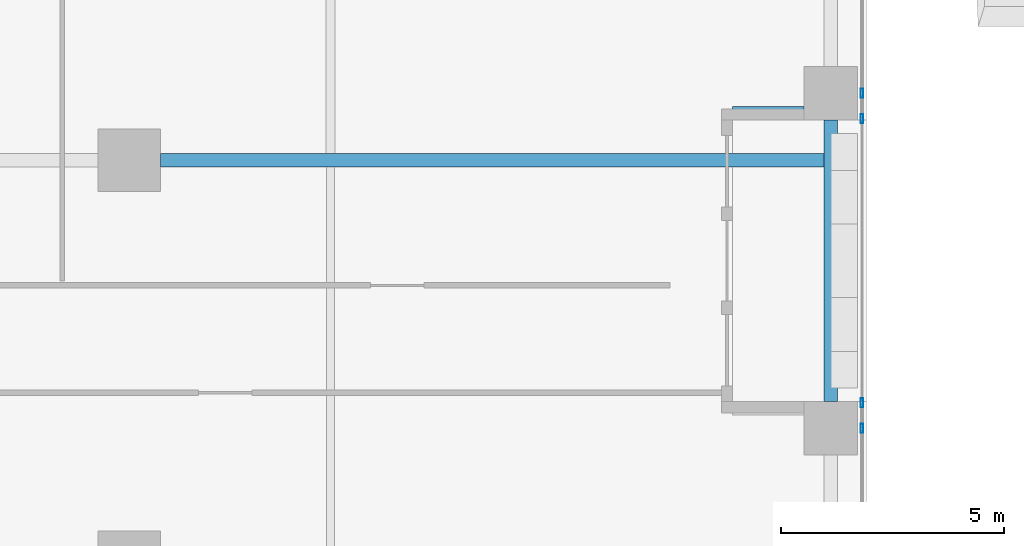
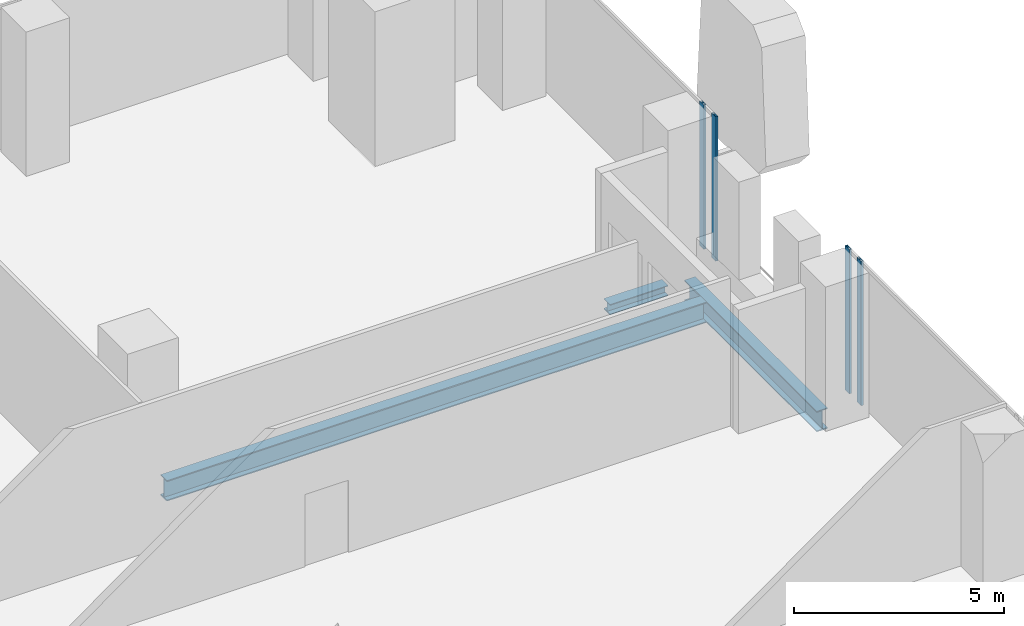
# One storey, part 17 of 35: 4 members, 3 beams, 2 elements without a shape of their own.
"""IFC4 building model written with IfcOpenShell, lengths in metres."""

from ifc_helpers import new_model, si_unit, direction, frame, origin, origin_2d, place, context, subcontext, project, spatial, hollow_rectangle, i_section, extrude, source, transform, mapped, material, material_profile, profile_set, type_object, element, aggregate, save


model = new_model("IFC4")

# Units and contexts
model_context = context("Model", 3, precision=1e-05, world=origin(), true_north=direction((0.0, 1.0)))
body_context = subcontext(model_context, "Body", "Model", "MODEL_VIEW")
ifc_project = project(units=[si_unit("LENGTHUNIT", "METRE"), si_unit("AREAUNIT", "SQUARE_METRE"), si_unit("VOLUMEUNIT", "CUBIC_METRE"), si_unit("PLANEANGLEUNIT", "RADIAN"), si_unit("MASSUNIT", "GRAM", prefix="KILO")], contexts=[model_context])

# Site, building, storey
site_placement = place(None, origin())
site = spatial("IfcSite", under=ifc_project, at=site_placement, CompositionType="ELEMENT")
building_placement = place(site_placement, origin())
building = spatial("IfcBuilding", under=site, at=building_placement, Name="Khomas Fold Tower", CompositionType="ELEMENT")
storey_placement = place(building_placement, frame((0.0, 0.0, 69.0)))
storey = spatial("IfcBuildingStorey", under=building, at=storey_placement, Name="L14", CompositionType="ELEMENT", Elevation=69.0)

# Beams
ifc_material_1 = material(Name="Steel S355", Category="steel")
ifc_material_profile_1 = material_profile(ifc_material_1, i_section(OverallWidth=0.300048828125, OverallDepth=0.60009765625, WebThickness=0.015380859375, FlangeThickness=0.030029296875, at=origin_2d()), Name="HE 600 B")
ifc_profile_set_1 = profile_set([ifc_material_profile_1], Name="Steel S355")
beam_type_1 = type_object("IfcBeamType", Name="HE 600 B spandrel SB1", PredefinedType="SPANDREL", material=ifc_profile_set_1)
shared_shape_1 = source(origin(), body_context, "Body", "SweptSolid", [
    extrude(i_section(OverallWidth=0.300048828125, OverallDepth=0.60009765625, WebThickness=0.015380859375, FlangeThickness=0.030029296875, at=origin_2d()), origin(), (0.0, 0.0, 1.0), 6.2998046875),
])
beam_1_placement = place(storey_placement, frame((53.199951171875, 35.10009765625, -0.60009765625), z_axis=(0.0, 1.0, 0.0), x_axis=(-1.0, 0.0, 0.0)))
element("IfcBeam", 1, at=beam_1_placement, inside=storey, type_object=beam_type_1, Name="SB1", PredefinedType="SPANDREL", context=body_context, shape_type="MappedRepresentation", body=[
    mapped(shared_shape_1, transform((0.0, 0.0, 0.0))),
])
ifc_material_2 = material(Name="Steel S355", Category="steel")
ifc_material_profile_2 = material_profile(ifc_material_2, i_section(OverallWidth=0.300048828125, OverallDepth=0.60009765625, WebThickness=0.015380859375, FlangeThickness=0.030029296875, at=origin_2d()), Name="HE 600 B")
ifc_profile_set_2 = profile_set([ifc_material_profile_2], Name="Steel S355")
beam_type_2 = type_object("IfcBeamType", Name="HE 600 B beam GB5", PredefinedType="BEAM", material=ifc_profile_set_2)
shared_shape_2 = source(origin(), body_context, "Body", "SweptSolid", [
    extrude(i_section(OverallWidth=0.300048828125, OverallDepth=0.60009765625, WebThickness=0.015380859375, FlangeThickness=0.030029296875, at=origin_2d()), origin(), (0.0, 0.0, 1.0), 14.85009765625),
])
beam_2_placement = place(storey_placement, frame((38.199951171875, 40.5, -0.60009765625), z_axis=(1.0, 0.0, 0.0), x_axis=(0.0, 1.0, 0.0)))
element("IfcBeam", 2, at=beam_2_placement, inside=storey, type_object=beam_type_2, Name="GB5", PredefinedType="BEAM", context=body_context, shape_type="MappedRepresentation", body=[
    mapped(shared_shape_2, transform((0.0, 0.0, 0.0))),
])
ifc_material_3 = material(Name="Steel S355", Category="steel")
ifc_material_profile_3 = material_profile(ifc_material_3, i_section(OverallWidth=0.300048828125, OverallDepth=0.300048828125, WebThickness=0.010986328125, FlangeThickness=0.01904296875, at=origin_2d()), Name="HE 300 B")
ifc_profile_set_3 = profile_set([ifc_material_profile_3], Name="Steel S355")
beam_type_3 = type_object("IfcBeamType", Name="HE 300 B beam BB1", PredefinedType="BEAM", material=ifc_profile_set_3)
shared_shape_3 = source(origin(), body_context, "Body", "SweptSolid", [
    extrude(i_section(OverallWidth=0.300048828125, OverallDepth=0.300048828125, WebThickness=0.010986328125, FlangeThickness=0.01904296875, at=origin_2d()), origin(), (0.0, 0.0, 1.0), 1.60009765625),
])
beam_3_placement = place(storey_placement, frame((51.0, 41.550048828125, -0.449951171875), z_axis=(1.0, 0.0, 0.0), x_axis=(0.0, 1.0, 0.0)))
element("IfcBeam", 3, at=beam_3_placement, inside=storey, type_object=beam_type_3, Name="BB1", PredefinedType="BEAM", context=body_context, shape_type="MappedRepresentation", body=[
    mapped(shared_shape_3, transform((0.0, 0.0, 0.0))),
])

# Curtain wall, members
ifc_material_4 = material(Name="Aluminium framed double glazing", Category="aluminium")
curtain_wall_type = type_object("IfcCurtainWallType", Name="SK-Unitised clear-glass wall, growing floors CW1", PredefinedType="NOTDEFINED", material=ifc_material_4)
curtain_wall_1_placement = place(storey_placement, origin())
curtain_wall_1 = element("IfcCurtainWall", 4, at=curtain_wall_1_placement, inside=storey, type_object=curtain_wall_type, Name="CW1 run L14 03-0", PredefinedType="NOTDEFINED")
ifc_material_5 = material(Name="Aluminium", Category="aluminium")
ifc_material_profile_4 = material_profile(ifc_material_5, hollow_rectangle(XDim=0.06005859375, YDim=0.199951171875, WallThickness=0.00390625, at=origin_2d()), Name="SK-Unitised clear-glass wall, growing floors mullion CW1-M")
ifc_profile_set_4 = profile_set([ifc_material_profile_4], Name="Aluminium")
member_type = type_object("IfcMemberType", Name="SK-Unitised clear-glass wall, growing floors mullion CW1-M", PredefinedType="MULLION", material=ifc_profile_set_4)
shared_shape_4 = source(origin(), body_context, "Body", "SweptSolid", [
    extrude(hollow_rectangle(XDim=0.06005859375, YDim=0.199951171875, WallThickness=0.00390625, at=origin_2d()), origin(), (0.0, 0.0, 1.0), 4.199951171875),
])
member_1_placement = place(storey_placement, frame((53.89990234375, 34.5, 0.0), z_axis=(0.0, 0.0, 1.0), x_axis=(-1.0, 0.0, 0.0)))
member_1 = element("IfcMember", 5, at=member_1_placement, type_object=member_type, Name="CW1 mullion 6", PredefinedType="MULLION", context=body_context, shape_type="MappedRepresentation", body=[
    mapped(shared_shape_4, transform((0.0, 0.0, 0.0))),
])
member_2_placement = place(storey_placement, frame((53.89990234375, 35.070068359375, 0.0), z_axis=(0.0, 0.0, 1.0), x_axis=(-1.0, 0.0, 0.0)))
member_2 = element("IfcMember", 6, at=member_2_placement, type_object=member_type, Name="CW1 mullion 7", PredefinedType="MULLION", context=body_context, shape_type="MappedRepresentation", body=[
    mapped(shared_shape_4, transform((0.0, 0.0, 0.0))),
])
aggregate(curtain_wall_1, [member_1, member_2])

curtain_wall_2_placement = place(storey_placement, origin())
curtain_wall_2 = element("IfcCurtainWall", 7, at=curtain_wall_2_placement, inside=storey, type_object=curtain_wall_type, Name="CW1 run L14 03-1", PredefinedType="NOTDEFINED")
member_3_placement = place(storey_placement, frame((53.89990234375, 41.429931640625, 0.0), z_axis=(0.0, 0.0, 1.0), x_axis=(-1.0, 0.0, 0.0)))
member_3 = element("IfcMember", 8, at=member_3_placement, type_object=member_type, Name="CW1 mullion 1", PredefinedType="MULLION", context=body_context, shape_type="MappedRepresentation", body=[
    mapped(shared_shape_4, transform((0.0, 0.0, 0.0))),
])
member_4_placement = place(storey_placement, frame((53.89990234375, 42.0, 0.0), z_axis=(0.0, 0.0, 1.0), x_axis=(-1.0, 0.0, 0.0)))
member_4 = element("IfcMember", 9, at=member_4_placement, type_object=member_type, Name="CW1 mullion 2", PredefinedType="MULLION", context=body_context, shape_type="MappedRepresentation", body=[
    mapped(shared_shape_4, transform((0.0, 0.0, 0.0))),
])
aggregate(curtain_wall_2, [member_3, member_4])

save(model, "model.ifc")
